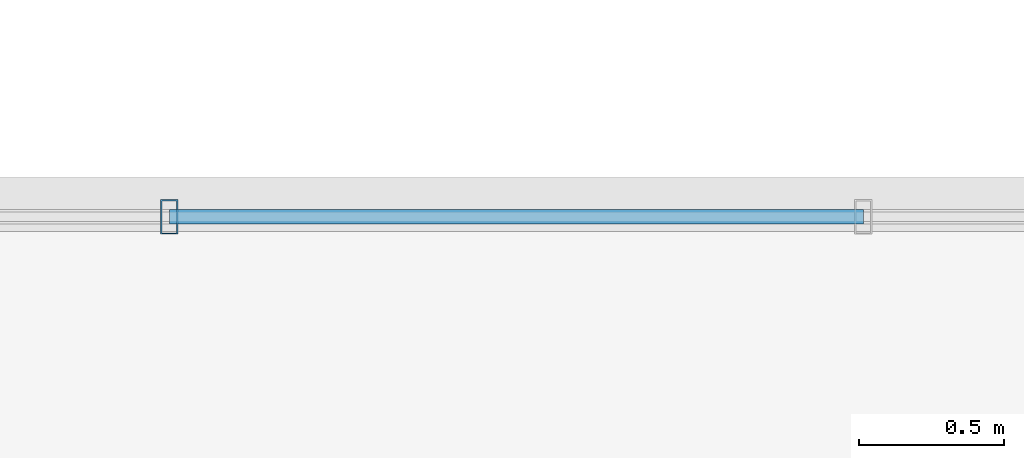
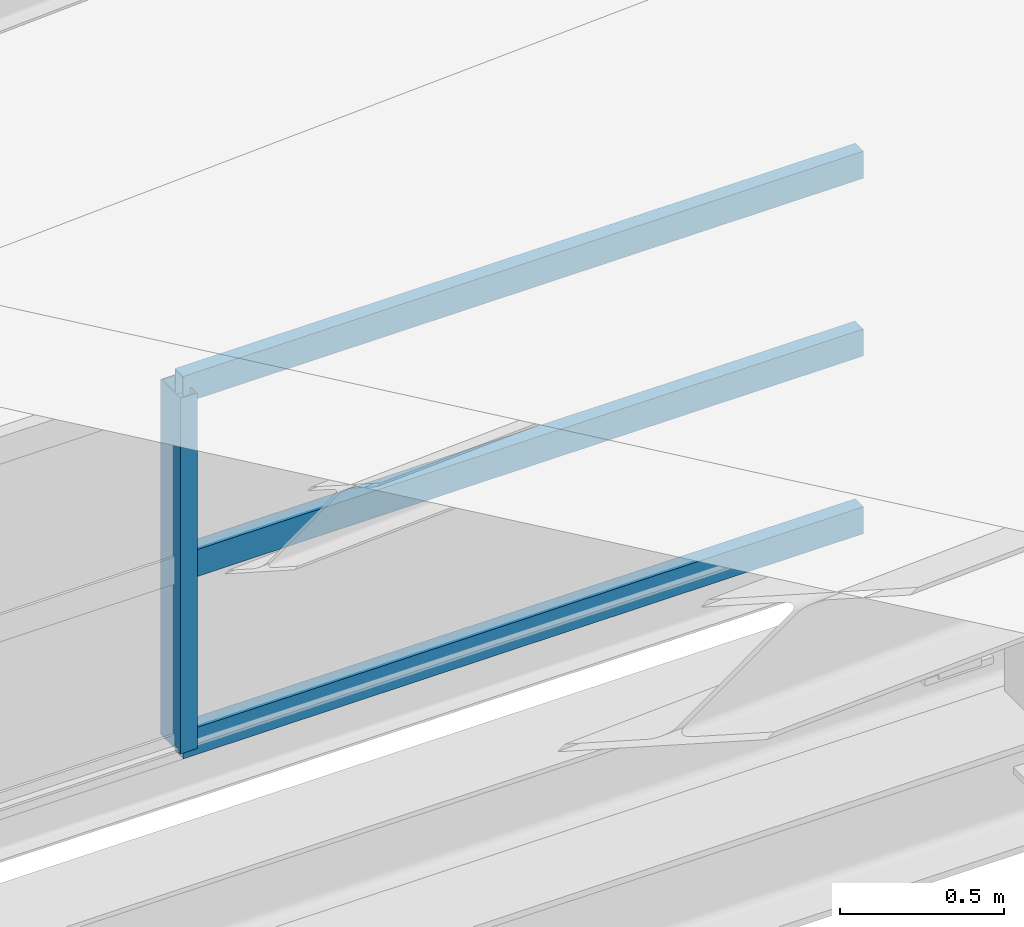
# One storey, part 8 of 141: 4 members, 1 element without a shape of its own.
"""IFC4 building model written with IfcOpenShell, lengths in metres."""

from ifc_helpers import new_model, si_unit, direction, frame, origin, origin_2d, place, context, subcontext, project, spatial, hollow_rectangle, extrude, material, material_profile, profile_set, type_object, element, aggregate, save


model = new_model("IFC4")

# Units and contexts
model_context = context("Model", 3, precision=1e-05, world=origin(), true_north=direction((0.0, 1.0)))
body_context = subcontext(model_context, "Body", "Model", "MODEL_VIEW")
ifc_project = project(units=[si_unit("LENGTHUNIT", "METRE"), si_unit("AREAUNIT", "SQUARE_METRE"), si_unit("VOLUMEUNIT", "CUBIC_METRE"), si_unit("PLANEANGLEUNIT", "RADIAN"), si_unit("MASSUNIT", "GRAM", prefix="KILO")], contexts=[model_context])

# Site, building, storey
site_placement = place(None, origin())
site = spatial("IfcSite", under=ifc_project, at=site_placement, CompositionType="ELEMENT")
building_placement = place(site_placement, origin())
building = spatial("IfcBuilding", under=site, at=building_placement, Name="Sundkrona Museum", CompositionType="ELEMENT")
storey_placement = place(building_placement, frame((0.0, 0.0, 34.0)))
storey = spatial("IfcBuildingStorey", under=building, at=storey_placement, Name="RF", CompositionType="ELEMENT", Elevation=34.0)

# Curtain wall, members
ifc_material_1 = material(Name="Unitised Aluminium-Steel and Ceramic-Clad Curtain Walling", Category="steel")
curtain_wall_type = type_object("IfcCurtainWallType", Name="CW-SW-240x13", PredefinedType="NOTDEFINED", material=ifc_material_1)
curtain_wall_placement = place(storey_placement, origin())
curtain_wall = element("IfcCurtainWall", 1, at=curtain_wall_placement, inside=storey, type_object=curtain_wall_type, Name="Sawtooth Bay 1 West North-Light Clerestory", PredefinedType="NOTDEFINED")
ifc_material_2 = material(Name="Aluminium EN AW-6060 T66", Category="aluminium")
ifc_material_profile_1 = material_profile(ifc_material_2, hollow_rectangle(XDim=0.06005859375, YDim=0.1201171875, WallThickness=0.0048828125, at=origin_2d()), Name="RHS 120x60x5.0")
ifc_profile_set_1 = profile_set([ifc_material_profile_1], Name="Aluminium EN AW-6060 T66")
member_type_1 = type_object("IfcMemberType", Name="ML-120", PredefinedType="MULLION", material=ifc_profile_set_1)
member_1_placement = place(storey_placement, frame((132.0, 2.199951171875, 2.212890625), z_axis=(0.0, 0.0, 1.0), x_axis=(1.0, 0.0, 0.0)))
member_1 = element("IfcMember", 2, at=member_1_placement, type_object=member_type_1, Name="CW-RF-SAW-01W Mullion 06", PredefinedType="MULLION", context=body_context, shape_type="SweptSolid", body=[
    extrude(hollow_rectangle(XDim=0.06005859375, YDim=0.1201171875, WallThickness=0.0048828125, at=origin_2d()), origin(), (0.0, 0.0, 1.0), 1.320068359375),
])
ifc_material_profile_2 = material_profile(ifc_material_2, hollow_rectangle(XDim=0.050048828125, YDim=0.10009765625, WallThickness=0.0048828125, at=origin_2d()), Name="RHS 100x50x5.0")
ifc_profile_set_2 = profile_set([ifc_material_profile_2], Name="Aluminium EN AW-6060 T66")
member_type_2 = type_object("IfcMemberType", Name="TR-100", PredefinedType="USERDEFINED", material=ifc_profile_set_2)
member_2_placement = place(storey_placement, frame((132.0, 2.199951171875, 2.212890625), z_axis=(1.0, 0.0, 0.0), x_axis=(0.0, 1.0, 0.0)))
member_2 = element("IfcMember", 3, at=member_2_placement, type_object=member_type_2, Name="CW-RF-SAW-01W Transom 16", ObjectType="TRANSOM", PredefinedType="USERDEFINED", context=body_context, shape_type="SweptSolid", body=[
    extrude(hollow_rectangle(XDim=0.050048828125, YDim=0.10009765625, WallThickness=0.0048828125, at=origin_2d()), origin(), (0.0, 0.0, 1.0), 2.389892578125),
])
member_3_placement = place(storey_placement, frame((132.0, 2.199951171875, 2.873046875), z_axis=(1.0, 0.0, 0.0), x_axis=(0.0, 1.0, 0.0)))
member_3 = element("IfcMember", 4, at=member_3_placement, type_object=member_type_2, Name="CW-RF-SAW-01W Transom 17", ObjectType="TRANSOM", PredefinedType="USERDEFINED", context=body_context, shape_type="SweptSolid", body=[
    extrude(hollow_rectangle(XDim=0.050048828125, YDim=0.10009765625, WallThickness=0.0048828125, at=origin_2d()), origin(), (0.0, 0.0, 1.0), 2.389892578125),
])
member_4_placement = place(storey_placement, frame((132.0, 2.199951171875, 3.532958984375), z_axis=(1.0, 0.0, 0.0), x_axis=(0.0, 1.0, 0.0)))
member_4 = element("IfcMember", 5, at=member_4_placement, type_object=member_type_2, Name="CW-RF-SAW-01W Transom 18", ObjectType="TRANSOM", PredefinedType="USERDEFINED", context=body_context, shape_type="SweptSolid", body=[
    extrude(hollow_rectangle(XDim=0.050048828125, YDim=0.10009765625, WallThickness=0.0048828125, at=origin_2d()), origin(), (0.0, 0.0, 1.0), 2.389892578125),
])
aggregate(curtain_wall, [member_1, member_2, member_3, member_4])

save(model, "model.ifc")
